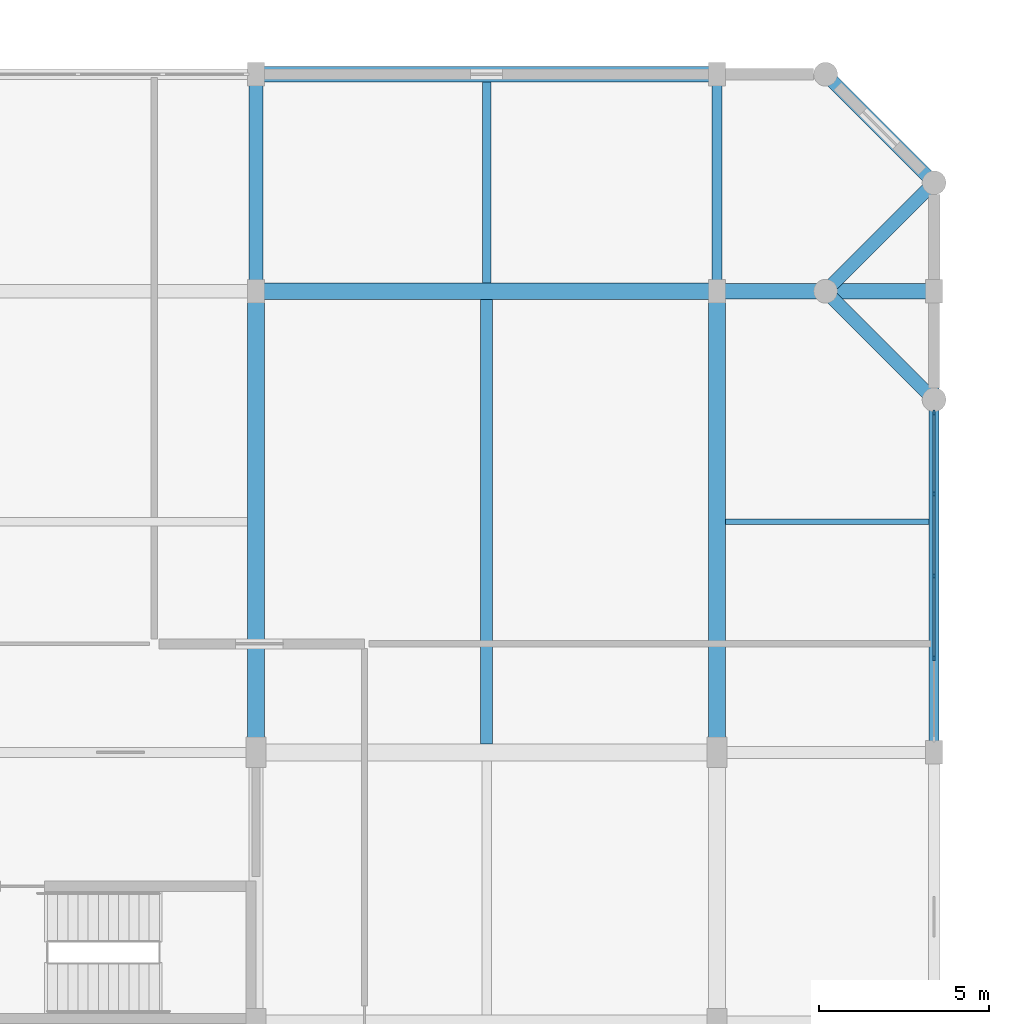
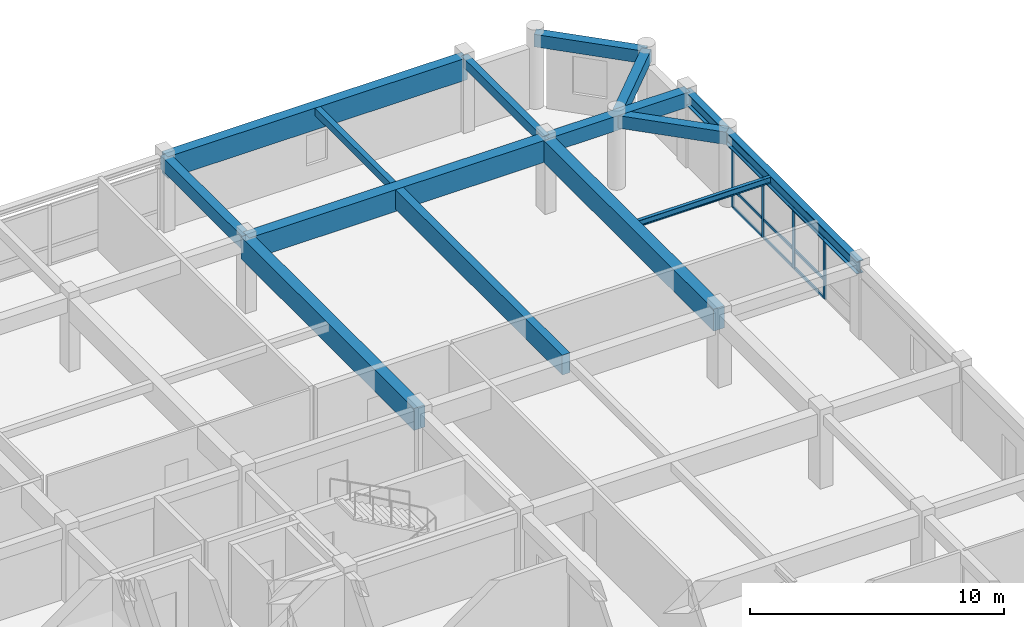
# One storey, part 8 of 14: 14 beams, 13 members, 1 element without a shape of its own.
"""IFC4 building model written with IfcOpenShell, lengths in metres."""

import ifcopenshell
import ifcopenshell.guid

model = None  # the IFC model being written
_history = None  # IfcOwnerHistory: only IFC2X3 demands one
_inside = {}  # id of a spatial element -> (the spatial element, [elements in it])
_under = {}  # id of a project, library or spatial element -> (it, [spatial elements below it])
_declared = {}  # id of a project -> (the project, [libraries it declares])
_typed = {}  # id of a type object -> (the type object, [elements of that type])
_made_of = {}  # id of a material, layer set ... -> (it, [elements and type objects made of it])


def new_model(schema):
    """Start an empty IFC model of exactly this schema.

    Asked for "IFC4X3", IfcOpenShell would pick the latest addendum, in which some entities
    have other attributes; the version numbers below select the first issue.
    IFC2X3 requires an IfcOwnerHistory on every rooted entity: one is made here for all.
    """
    global model, _history
    if schema == "IFC4X3":
        model = ifcopenshell.file(schema_version=(4, 3, 0, 0))
    else:
        model = ifcopenshell.file(schema=schema)
    _inside.clear()
    _under.clear()
    _declared.clear()
    _typed.clear()
    _made_of.clear()
    _history = None
    if model.schema == "IFC2X3":
        org = make("IfcOrganization", Name="unknown")
        user = make(
            "IfcPersonAndOrganization",
            ThePerson=make("IfcPerson", FamilyName="unknown"),
            TheOrganization=org,
        )
        app = make(
            "IfcApplication",
            ApplicationDeveloper=org,
            Version="unknown",
            ApplicationFullName="unknown",
            ApplicationIdentifier="unknown",
        )
        _history = make(
            "IfcOwnerHistory",
            OwningUser=user,
            OwningApplication=app,
            ChangeAction="ADDED",
            CreationDate=0,
        )
    return model


def make(cls, **values):
    """One entity of the class cls with the attributes given. An attribute that is None is left unset."""
    return model.create_entity(
        cls, **{name: value for name, value in values.items() if value is not None}
    )


def rooted(cls, **values):
    """An entity with a GlobalId (a new one), such as an element, a storey or a relation."""
    return make(cls, GlobalId=ifcopenshell.guid.new(), OwnerHistory=_history, **values)


def si_unit(unit_type, name, prefix=None):
    """IfcSIUnit, for example si_unit("LENGTHUNIT", "METRE", prefix="MILLI")."""
    return make("IfcSIUnit", UnitType=unit_type, Prefix=prefix, Name=name)


def assignment(units):
    """IfcUnitAssignment: the units of a project."""
    return None if units is None else make("IfcUnitAssignment", Units=units)


def point(xyz):
    """IfcCartesianPoint."""
    return None if xyz is None else make("IfcCartesianPoint", Coordinates=xyz)


def direction(xyz):
    """IfcDirection."""
    return None if xyz is None else make("IfcDirection", DirectionRatios=xyz)


def frame(location, z_axis=None, x_axis=None):
    """IfcAxis2Placement3D, a coordinate frame: its origin and axes. An axis left out is left unset."""
    return make(
        "IfcAxis2Placement3D",
        Location=point(location),
        Axis=direction(z_axis),
        RefDirection=direction(x_axis),
    )


def frame_2d(location, x_axis=None):
    """IfcAxis2Placement2D, a coordinate frame in the plane: its origin and x axis."""
    return make(
        "IfcAxis2Placement2D", Location=point(location), RefDirection=direction(x_axis)
    )


def origin():
    """The frame at (0, 0, 0) with its axes left unset."""
    return frame((0.0, 0.0, 0.0))


def origin_2d():
    """The frame at (0, 0) in the plane with its x axis left unset."""
    return frame_2d((0.0, 0.0))


def place(relative_to, where):
    """IfcLocalPlacement: puts the frame where relative to a parent placement (None: the world)."""
    return make(
        "IfcLocalPlacement", PlacementRelTo=relative_to, RelativePlacement=where
    )


def context(
    kind, dimensions, precision=None, world=None, true_north=None, identifier=None
):
    """IfcGeometricRepresentationContext, for example the 3D "Model" context."""
    return make(
        "IfcGeometricRepresentationContext",
        ContextIdentifier=identifier,
        ContextType=kind,
        CoordinateSpaceDimension=dimensions,
        Precision=precision,
        WorldCoordinateSystem=world,
        TrueNorth=true_north,
    )


def subcontext(parent, identifier, kind, view, scale=None):
    """IfcGeometricRepresentationSubContext, for example "Body" below "Model"."""
    return make(
        "IfcGeometricRepresentationSubContext",
        ContextIdentifier=identifier,
        ContextType=kind,
        ParentContext=parent,
        TargetScale=scale,
        TargetView=view,
    )


def project(units=None, contexts=None):
    """IfcProject with its units and contexts."""
    return rooted(
        "IfcProject",
        Name="project",
        RepresentationContexts=contexts,
        UnitsInContext=assignment(units),
    )


def spatial(cls, under=None, at=None, **own):
    """A site, building, storey or space (cls), placed at a placement, below another one or the project."""
    s = rooted(cls, ObjectPlacement=at, **own)
    if under is not None:
        _under.setdefault(under.id(), (under, []))[1].append(s)
    return s


def profile(cls, at=None, kind="AREA", **sizes):
    """A parametric profile (cls). Its sizes go by their IFC names, for example OverallWidth=200.0."""
    return make(cls, ProfileType=kind, Position=at, **sizes)


def rectangle(**sizes):
    """IfcRectangleProfileDef."""
    return profile("IfcRectangleProfileDef", **sizes)


def i_section(**sizes):
    """IfcIShapeProfileDef."""
    return profile("IfcIShapeProfileDef", **sizes)


def extrude(swept, where, along, depth):
    """IfcExtrudedAreaSolid: the profile swept, set in the frame where, extruded along a direction by depth."""
    return make(
        "IfcExtrudedAreaSolid",
        SweptArea=swept,
        Position=where,
        ExtrudedDirection=direction(along),
        Depth=depth,
    )


def shape(context_of_items, identifier, shape_type, items):
    """IfcShapeRepresentation: the items that make up one representation, for example the "Body"."""
    return make(
        "IfcShapeRepresentation",
        ContextOfItems=context_of_items,
        RepresentationIdentifier=identifier,
        RepresentationType=shape_type,
        Items=items,
    )


def material(Name=None, Category=None):
    """IfcMaterial."""
    return make("IfcMaterial", Name=Name, Category=Category)


def material_profile(
    of_material, cross_section, Name=None, Category=None, Priority=None
):
    """IfcMaterialProfile: a cross section and its material."""
    return make(
        "IfcMaterialProfile",
        Name=Name,
        Material=of_material,
        Profile=cross_section,
        Priority=Priority,
        Category=Category,
    )


def profile_set(profiles, Name=None, composite=None):
    """IfcMaterialProfileSet."""
    return make(
        "IfcMaterialProfileSet",
        Name=Name,
        MaterialProfiles=profiles,
        CompositeProfile=composite,
    )


def made_of(thing, what):
    """Note that an element or type object is made of a material, layer set ...; save() writes the relation."""
    if what is not None:
        _made_of.setdefault(what.id(), (what, []))[1].append(thing)
    return thing


def type_object(cls, material=None, **own):
    """A type object (cls), such as IfcWallType, which elements share."""
    return made_of(rooted(cls, **own), material)


def element(
    cls,
    number,
    at=None,
    inside=None,
    cuts=None,
    type_object=None,
    material=None,
    context=None,
    identifier="Body",
    shape_type=None,
    held_by="IfcProductDefinitionShape",
    body=None,
    shapes=None,
    **own,
):
    """One element of the class cls, such as IfcWall. Its Tag is "e" and its number.

    at: its placement. inside: the storey or other place that contains it. cuts: it is an
    opening in that element (IfcRelVoidsElement). A single representation is given by context,
    identifier, shape_type and body (its items); several are given by shapes. held_by: the class
    of the entity that holds the representations. save() writes the other relations.
    """
    e = rooted(cls, Tag="e%d" % number, ObjectPlacement=at, **own)
    if body is not None:
        shapes = [shape(context, identifier, shape_type, body)]
    if shapes is not None:
        e.Representation = make(held_by, Representations=shapes)
    if inside is not None:
        _inside.setdefault(inside.id(), (inside, []))[1].append(e)
    if cuts is not None:
        rooted(
            "IfcRelVoidsElement", RelatingBuildingElement=cuts, RelatedOpeningElement=e
        )
    if type_object is not None:
        _typed.setdefault(type_object.id(), (type_object, []))[1].append(e)
    return made_of(e, material)


def aggregate(whole, parts):
    """IfcRelAggregates: a whole, such as a stair, and the parts it consists of."""
    return rooted("IfcRelAggregates", RelatingObject=whole, RelatedObjects=parts)


def save(model, path):
    """Write the relations noted so far, then the file.

    IfcRelAggregates (storeys below a building ...), IfcRelContainedInSpatialStructure (elements
    in a storey), IfcRelDefinesByType, IfcRelAssociatesMaterial and IfcRelDeclares: one each for
    every whole, place, type object, material and project.
    """
    for whole, parts in _under.values():
        aggregate(whole, parts)
    for where, things in _inside.values():
        rooted(
            "IfcRelContainedInSpatialStructure",
            RelatedElements=things,
            RelatingStructure=where,
        )
    for kind, things in _typed.values():
        rooted("IfcRelDefinesByType", RelatedObjects=things, RelatingType=kind)
    for what, things in _made_of.values():
        rooted("IfcRelAssociatesMaterial", RelatedObjects=things, RelatingMaterial=what)
    for by, libraries in _declared.values():
        rooted("IfcRelDeclares", RelatingContext=by, RelatedDefinitions=libraries)
    model.write(path)


model = new_model("IFC4")

# Units and contexts
model_context = context("Model", 3, precision=1e-05, world=origin(), true_north=direction((0.0, 1.0)))
body_context = subcontext(model_context, "Body", "Model", "MODEL_VIEW")
ifc_project = project(units=[si_unit("LENGTHUNIT", "METRE"), si_unit("AREAUNIT", "SQUARE_METRE"), si_unit("VOLUMEUNIT", "CUBIC_METRE"), si_unit("PLANEANGLEUNIT", "RADIAN"), si_unit("MASSUNIT", "GRAM", prefix="KILO")], contexts=[model_context])

# Site, building, storey
site_placement = place(None, origin())
site = spatial("IfcSite", under=ifc_project, at=site_placement, CompositionType="ELEMENT")
building_placement = place(site_placement, origin())
building = spatial("IfcBuilding", under=site, at=building_placement, Name="Vellmiral Cinema and Media Centre", CompositionType="ELEMENT")
storey_placement = place(building_placement, frame((0.0, 0.0, 47.10009765625)))
storey = spatial("IfcBuildingStorey", under=building, at=storey_placement, Name="L11", CompositionType="ELEMENT", Elevation=47.10009765625)

# Beams
ifc_material_1 = material(Name="Concrete C40/50", Category="concrete")
ifc_material_profile_1 = material_profile(ifc_material_1, rectangle(XDim=0.300048828125, YDim=0.449951171875, at=origin_2d()), Name="RC 300x450")
ifc_profile_set_1 = profile_set([ifc_material_profile_1], Name="Concrete C40/50")
beam_type_1 = type_object("IfcBeamType", Name="BM-RC-300x450", PredefinedType="BEAM", material=ifc_profile_set_1)
beam_1_placement = place(storey_placement, frame((161.60009765625, 108.800048828125, 3.27001953125), z_axis=(0.0, 1.0, 0.0), x_axis=(-1.0, 0.0, 0.0)))
element("IfcBeam", 1, at=beam_1_placement, inside=storey, type_object=beam_type_1, Name="Grid Beam L11-Y074", PredefinedType="BEAM", context=body_context, shape_type="SweptSolid", body=[
    extrude(rectangle(XDim=0.300048828125, YDim=0.449951171875, at=origin_2d()), origin(), (0.0, 0.0, 1.0), 6.39990234375),
])
ifc_material_2 = material(Name="Concrete C40/50", Category="concrete")
ifc_material_profile_2 = material_profile(ifc_material_2, rectangle(XDim=0.39990234375, YDim=0.64990234375, at=origin_2d()), Name="RC 400x650")
ifc_profile_set_2 = profile_set([ifc_material_profile_2], Name="Concrete C40/50")
beam_type_2 = type_object("IfcBeamType", Name="BM-RC-400x650", PredefinedType="BEAM", material=ifc_profile_set_2)
beam_2_placement = place(storey_placement, frame((148.0, 108.800048828125, 3.169921875), z_axis=(0.0, 1.0, 0.0), x_axis=(-1.0, 0.0, 0.0)))
element("IfcBeam", 2, at=beam_2_placement, inside=storey, type_object=beam_type_2, Name="Grid Beam L11-Y068", PredefinedType="BEAM", context=body_context, shape_type="SweptSolid", body=[
    extrude(rectangle(XDim=0.39990234375, YDim=0.64990234375, at=origin_2d()), origin(), (0.0, 0.0, 1.0), 6.39990234375),
])
ifc_material_3 = material(Name="Concrete C40/50", Category="concrete")
ifc_material_profile_3 = material_profile(ifc_material_3, rectangle(XDim=0.449951171875, YDim=0.699951171875, at=origin_2d()), Name="RC 450x700")
ifc_profile_set_3 = profile_set([ifc_material_profile_3], Name="Concrete C40/50")
beam_type_3 = type_object("IfcBeamType", Name="BM-RC-450x700", PredefinedType="BEAM", material=ifc_profile_set_3)
beam_3_placement = place(storey_placement, frame((161.60009765625, 108.800048828125, 3.14501953125), z_axis=(1.0, 0.0, 0.0), x_axis=(0.0, 1.0, 0.0)))
element("IfcBeam", 3, at=beam_3_placement, inside=storey, type_object=beam_type_3, Name="Grid Beam L11-X034", PredefinedType="BEAM", context=body_context, shape_type="SweptSolid", body=[
    extrude(rectangle(XDim=0.449951171875, YDim=0.699951171875, at=origin_2d()), origin(), (0.0, 0.0, 1.0), 6.39990234375),
])
ifc_material_4 = material(Name="Concrete C40/50", Category="concrete")
ifc_material_profile_4 = material_profile(ifc_material_4, rectangle(XDim=0.5, YDim=1.050048828125, at=origin_2d()), Name="RC 500x1050")
ifc_profile_set_4 = profile_set([ifc_material_profile_4], Name="Concrete C40/50")
beam_type_4 = type_object("IfcBeamType", Name="BM-RCG-500x1050", PredefinedType="BEAM", material=ifc_profile_set_4)
for number, where, z_axis, x_axis, name in (
    (4, (148.0, 108.800048828125, 2.969970703125), (1.0, 0.0, 0.0), (0.0, 1.0, 0.0), "Grid Beam L11-X033"),
    (5, (148.0, 95.199951171875, 2.969970703125), (0.0, 1.0, 0.0), (-1.0, 0.0, 0.0), "Grid Beam L11-Y067"),
    (6, (161.60009765625, 95.199951171875, 2.969970703125), (0.0, 1.0, 0.0), (-1.0, 0.0, 0.0), "Grid Beam L11-Y073"),
):
    element("IfcBeam", number, at=place(storey_placement, frame(where, z_axis=z_axis, x_axis=x_axis)), inside=storey, type_object=beam_type_4, Name=name, PredefinedType="BEAM", context=body_context, shape_type="SweptSolid", body=[
        extrude(rectangle(XDim=0.5, YDim=1.050048828125, at=origin_2d()), origin(), (0.0, 0.0, 1.0), 13.60009765625),
    ])

# Curtain wall, members
ifc_material_5 = material(Name="Thermally Broken Aluminium and Triple Glazing", Category="aluminium")
curtain_wall_type = type_object("IfcCurtainWallType", Name="CW-TOWER-MID-E", PredefinedType="USERDEFINED", material=ifc_material_5)
curtain_wall_placement = place(storey_placement, origin())
curtain_wall = element("IfcCurtainWall", 7, at=curtain_wall_placement, inside=storey, type_object=curtain_wall_type, Name="Curtain Wall L11-B012", ObjectType="UNITISED CURTAIN WALL", PredefinedType="USERDEFINED")
ifc_material_6 = material(Name="Thermally Broken Anodised Aluminium", Category="aluminium")
ifc_material_profile_5 = material_profile(ifc_material_6, rectangle(XDim=0.06494140625, YDim=0.159912109375, at=origin_2d()), Name="MULL 65x160")
ifc_profile_set_5 = profile_set([ifc_material_profile_5], Name="Thermally Broken Anodised Aluminium")
member_type_1 = type_object("IfcMemberType", Name="CWM-65x160", PredefinedType="MULLION", material=ifc_profile_set_5)
member_1_placement = place(storey_placement, frame((168.0, 97.97509765625, 0.0), z_axis=(0.0, 0.0, 1.0), x_axis=(-1.0, 0.0, 0.0)))
member_1 = element("IfcMember", 8, at=member_1_placement, type_object=member_type_1, Name="CW-07 mullion 2", PredefinedType="MULLION", context=body_context, shape_type="SweptSolid", body=[
    extrude(rectangle(XDim=0.06494140625, YDim=0.159912109375, at=origin_2d()), origin(), (0.0, 0.0, 1.0), 2.885009765625),
])
member_2_placement = place(storey_placement, frame((168.0, 100.39990234375, 0.0), z_axis=(0.0, 0.0, 1.0), x_axis=(-1.0, 0.0, 0.0)))
member_2 = element("IfcMember", 9, at=member_2_placement, type_object=member_type_1, Name="CW-07 mullion 3", PredefinedType="MULLION", context=body_context, shape_type="SweptSolid", body=[
    extrude(rectangle(XDim=0.06494140625, YDim=0.159912109375, at=origin_2d()), origin(), (0.0, 0.0, 1.0), 2.885009765625),
])
member_3_placement = place(storey_placement, frame((168.0, 102.824951171875, 0.0), z_axis=(0.0, 0.0, 1.0), x_axis=(-1.0, 0.0, 0.0)))
member_3 = element("IfcMember", 10, at=member_3_placement, type_object=member_type_1, Name="CW-07 mullion 4", PredefinedType="MULLION", context=body_context, shape_type="SweptSolid", body=[
    extrude(rectangle(XDim=0.06494140625, YDim=0.159912109375, at=origin_2d()), origin(), (0.0, 0.0, 1.0), 2.885009765625),
])
member_4_placement = place(storey_placement, frame((168.0, 105.217529296875, 0.0), z_axis=(0.0, 0.0, 1.0), x_axis=(-1.0, 0.0, 0.0)))
member_4 = element("IfcMember", 11, at=member_4_placement, type_object=member_type_1, Name="CW-07 mullion 5", PredefinedType="MULLION", context=body_context, shape_type="SweptSolid", body=[
    extrude(rectangle(XDim=0.06494140625, YDim=0.159912109375, at=origin_2d()), origin(), (0.0, 0.0, 1.0), 2.885009765625),
])
ifc_material_7 = material(Name="Thermally Broken Anodised Aluminium", Category="aluminium")
ifc_material_profile_6 = material_profile(ifc_material_7, rectangle(XDim=0.06494140625, YDim=0.135009765625, at=origin_2d()), Name="MULL 65x135")
ifc_profile_set_6 = profile_set([ifc_material_profile_6], Name="Thermally Broken Anodised Aluminium")
member_type_2 = type_object("IfcMemberType", Name="CWT-65x135", PredefinedType="USERDEFINED", material=ifc_profile_set_6)
member_5_placement = place(storey_placement, frame((168.0, 98.007568359375, 0.032470703125), z_axis=(0.0, 1.0, 0.0), x_axis=(-1.0, 0.0, 0.0)))
member_5 = element("IfcMember", 12, at=member_5_placement, type_object=member_type_2, Name="CW-07 transom 2.1", ObjectType="TRANSOM", PredefinedType="USERDEFINED", context=body_context, shape_type="SweptSolid", body=[
    extrude(rectangle(XDim=0.06494140625, YDim=0.135009765625, at=origin_2d()), origin(), (0.0, 0.0, 1.0), 2.35986328125),
])
member_6_placement = place(storey_placement, frame((168.0, 98.007568359375, 0.89990234375), z_axis=(0.0, 1.0, 0.0), x_axis=(-1.0, 0.0, 0.0)))
member_6 = element("IfcMember", 13, at=member_6_placement, type_object=member_type_2, Name="CW-07 transom 2.2", ObjectType="TRANSOM", PredefinedType="USERDEFINED", context=body_context, shape_type="SweptSolid", body=[
    extrude(rectangle(XDim=0.06494140625, YDim=0.135009765625, at=origin_2d()), origin(), (0.0, 0.0, 1.0), 2.35986328125),
])
member_7_placement = place(storey_placement, frame((168.0, 98.007568359375, 2.852294921875), z_axis=(0.0, 1.0, 0.0), x_axis=(-1.0, 0.0, 0.0)))
member_7 = element("IfcMember", 14, at=member_7_placement, type_object=member_type_2, Name="CW-07 transom 2.3", ObjectType="TRANSOM", PredefinedType="USERDEFINED", context=body_context, shape_type="SweptSolid", body=[
    extrude(rectangle(XDim=0.06494140625, YDim=0.135009765625, at=origin_2d()), origin(), (0.0, 0.0, 1.0), 2.35986328125),
])
member_8_placement = place(storey_placement, frame((168.0, 100.4326171875, 0.032470703125), z_axis=(0.0, 1.0, 0.0), x_axis=(-1.0, 0.0, 0.0)))
member_8 = element("IfcMember", 15, at=member_8_placement, type_object=member_type_2, Name="CW-07 transom 3.1", ObjectType="TRANSOM", PredefinedType="USERDEFINED", context=body_context, shape_type="SweptSolid", body=[
    extrude(rectangle(XDim=0.06494140625, YDim=0.135009765625, at=origin_2d()), origin(), (0.0, 0.0, 1.0), 2.35986328125),
])
member_9_placement = place(storey_placement, frame((168.0, 100.4326171875, 0.89990234375), z_axis=(0.0, 1.0, 0.0), x_axis=(-1.0, 0.0, 0.0)))
member_9 = element("IfcMember", 16, at=member_9_placement, type_object=member_type_2, Name="CW-07 transom 3.2", ObjectType="TRANSOM", PredefinedType="USERDEFINED", context=body_context, shape_type="SweptSolid", body=[
    extrude(rectangle(XDim=0.06494140625, YDim=0.135009765625, at=origin_2d()), origin(), (0.0, 0.0, 1.0), 2.35986328125),
])
member_10_placement = place(storey_placement, frame((168.0, 100.4326171875, 2.852294921875), z_axis=(0.0, 1.0, 0.0), x_axis=(-1.0, 0.0, 0.0)))
member_10 = element("IfcMember", 17, at=member_10_placement, type_object=member_type_2, Name="CW-07 transom 3.3", ObjectType="TRANSOM", PredefinedType="USERDEFINED", context=body_context, shape_type="SweptSolid", body=[
    extrude(rectangle(XDim=0.06494140625, YDim=0.135009765625, at=origin_2d()), origin(), (0.0, 0.0, 1.0), 2.35986328125),
])
member_11_placement = place(storey_placement, frame((168.0, 102.857421875, 0.032470703125), z_axis=(0.0, 1.0, 0.0), x_axis=(-1.0, 0.0, 0.0)))
member_11 = element("IfcMember", 18, at=member_11_placement, type_object=member_type_2, Name="CW-07 transom 4.1", ObjectType="TRANSOM", PredefinedType="USERDEFINED", context=body_context, shape_type="SweptSolid", body=[
    extrude(rectangle(XDim=0.06494140625, YDim=0.135009765625, at=origin_2d()), origin(), (0.0, 0.0, 1.0), 2.32763671875),
])
member_12_placement = place(storey_placement, frame((168.0, 102.857421875, 0.89990234375), z_axis=(0.0, 1.0, 0.0), x_axis=(-1.0, 0.0, 0.0)))
member_12 = element("IfcMember", 19, at=member_12_placement, type_object=member_type_2, Name="CW-07 transom 4.2", ObjectType="TRANSOM", PredefinedType="USERDEFINED", context=body_context, shape_type="SweptSolid", body=[
    extrude(rectangle(XDim=0.06494140625, YDim=0.135009765625, at=origin_2d()), origin(), (0.0, 0.0, 1.0), 2.32763671875),
])
member_13_placement = place(storey_placement, frame((168.0, 102.857421875, 2.852294921875), z_axis=(0.0, 1.0, 0.0), x_axis=(-1.0, 0.0, 0.0)))
member_13 = element("IfcMember", 20, at=member_13_placement, type_object=member_type_2, Name="CW-07 transom 4.3", ObjectType="TRANSOM", PredefinedType="USERDEFINED", context=body_context, shape_type="SweptSolid", body=[
    extrude(rectangle(XDim=0.06494140625, YDim=0.135009765625, at=origin_2d()), origin(), (0.0, 0.0, 1.0), 2.32763671875),
])
aggregate(curtain_wall, [member_1, member_2, member_3, member_4, member_5, member_6, member_7, member_8, member_9, member_10, member_11, member_12, member_13])

# Beams
ifc_material_8 = material(Name="Concrete C40/50", Category="concrete")
ifc_material_profile_7 = material_profile(ifc_material_8, rectangle(XDim=0.25, YDim=0.35009765625, at=origin_2d()), Name="RC 250x350")
ifc_profile_set_7 = profile_set([ifc_material_profile_7], Name="Concrete C40/50")
beam_type_5 = type_object("IfcBeamType", Name="JST-RC-250x350", PredefinedType="JOIST", material=ifc_profile_set_7)
beam_4_placement = place(storey_placement, frame((154.800048828125, 109.050048828125, 3.31982421875), z_axis=(0.0, 1.0, 0.0), x_axis=(-1.0, 0.0, 0.0)))
element("IfcBeam", 21, at=beam_4_placement, inside=storey, type_object=beam_type_5, Name="Secondary Floor Joist L11-010", PredefinedType="JOIST", context=body_context, shape_type="SweptSolid", body=[
    extrude(rectangle(XDim=0.25, YDim=0.35009765625, at=origin_2d()), origin(), (0.0, 0.0, 1.0), 5.925048828125),
])
ifc_material_9 = material(Name="Concrete C40/50", Category="concrete")
ifc_material_profile_8 = material_profile(ifc_material_9, rectangle(XDim=0.35009765625, YDim=0.949951171875, at=origin_2d()), Name="RC 350x950")
ifc_profile_set_8 = profile_set([ifc_material_profile_8], Name="Concrete C40/50")
beam_type_6 = type_object("IfcBeamType", Name="JST-RCG-350x950", PredefinedType="JOIST", material=ifc_profile_set_8)
beam_5_placement = place(storey_placement, frame((154.800048828125, 95.449951171875, 3.02001953125), z_axis=(0.0, 1.0, 0.0), x_axis=(-1.0, 0.0, 0.0)))
element("IfcBeam", 22, at=beam_5_placement, inside=storey, type_object=beam_type_6, Name="Secondary Floor Joist L11-009", PredefinedType="JOIST", context=body_context, shape_type="SweptSolid", body=[
    extrude(rectangle(XDim=0.35009765625, YDim=0.949951171875, at=origin_2d()), origin(), (0.0, 0.0, 1.0), 13.10009765625),
])
ifc_material_10 = material(Name="Steel S355", Category="steel")
ifc_material_profile_9 = material_profile(ifc_material_10, i_section(OverallWidth=0.300048828125, OverallDepth=0.60009765625, WebThickness=0.015380859375, FlangeThickness=0.030029296875, FilletRadius=0.027099609375, at=origin_2d()), Name="HEB 600")
ifc_profile_set_9 = profile_set([ifc_material_profile_9], Name="Steel S355")
beam_type_7 = type_object("IfcBeamType", Name="SBM-HEB600-SPD", PredefinedType="SPANDREL", material=ifc_profile_set_9)
beam_6_placement = place(storey_placement, frame((168.0, 95.199951171875, 3.19482421875), z_axis=(0.0, 1.0, 0.0), x_axis=(-1.0, 0.0, 0.0)))
element("IfcBeam", 23, at=beam_6_placement, inside=storey, type_object=beam_type_7, Name="Grid Beam L11-Y078", PredefinedType="SPANDREL", context=body_context, shape_type="SweptSolid", body=[
    extrude(i_section(OverallWidth=0.300048828125, OverallDepth=0.60009765625, WebThickness=0.015380859375, FlangeThickness=0.030029296875, FilletRadius=0.027099609375, at=origin_2d()), origin(), (0.0, 0.0, 1.0), 13.60009765625),
])
ifc_material_11 = material(Name="Steel S355", Category="steel")
ifc_material_profile_10 = material_profile(ifc_material_11, i_section(OverallWidth=0.14990234375, OverallDepth=0.300048828125, WebThickness=0.007080078125, FlangeThickness=0.0107421875, FilletRadius=0.014892578125, at=origin_2d()), Name="IPE 300")
ifc_profile_set_10 = profile_set([ifc_material_profile_10], Name="Steel S355")
beam_type_8 = type_object("IfcBeamType", Name="SBM-IPE300", PredefinedType="JOIST", material=ifc_profile_set_10)
beam_7_placement = place(storey_placement, frame((161.85009765625, 102.0, 3.344970703125), z_axis=(1.0, 0.0, 0.0), x_axis=(0.0, 1.0, 0.0)))
element("IfcBeam", 24, at=beam_7_placement, inside=storey, type_object=beam_type_8, Name="Secondary Floor Joist L11-011", PredefinedType="JOIST", context=body_context, shape_type="SweptSolid", body=[
    extrude(i_section(OverallWidth=0.14990234375, OverallDepth=0.300048828125, WebThickness=0.007080078125, FlangeThickness=0.0107421875, FilletRadius=0.014892578125, at=origin_2d()), origin(), (0.0, 0.0, 1.0), 6.0),
])
ifc_material_12 = material(Name="Concrete C40/50", Category="concrete")
ifc_material_profile_11 = material_profile(ifc_material_12, rectangle(XDim=0.39990234375, YDim=0.60009765625, at=origin_2d()), Name="RC 400x600")
ifc_profile_set_11 = profile_set([ifc_material_profile_11], Name="Concrete C40/50")
beam_type_9 = type_object("IfcBeamType", Name="SPD-RC-400x600", PredefinedType="SPANDREL", material=ifc_profile_set_11)
for number, where, z_axis, x_axis, name in (
    (25, (164.800048828125, 108.800048828125, 3.19482421875), (0.707106781187, -0.707106781187, 0.0), (0.707106781187, 0.707106781187, 0.0), "Xamfra Chamfer Spandrel Beam L11-082"),
    (26, (164.800048828125, 108.800048828125, 3.19482421875), (0.707106781187, 0.707106781187, 0.0), (-0.707106781187, 0.707106781187, 0.0), "Xamfra Chamfer Spandrel Beam L11-083"),
    (27, (164.800048828125, 115.199951171875, 3.19482421875), (0.707106781187, -0.707106781187, 0.0), (0.707106781187, 0.707106781187, 0.0), "Xamfra Chamfer Spandrel Beam L11-084"),
):
    element("IfcBeam", number, at=place(storey_placement, frame(where, z_axis=z_axis, x_axis=x_axis)), inside=storey, type_object=beam_type_9, Name=name, PredefinedType="SPANDREL", context=body_context, shape_type="SweptSolid", body=[
        extrude(rectangle(XDim=0.39990234375, YDim=0.60009765625, at=origin_2d()), origin(), (0.0, 0.0, 1.0), 4.525390625),
    ])
ifc_material_13 = material(Name="Concrete C40/50", Category="concrete")
ifc_material_profile_12 = material_profile(ifc_material_13, rectangle(XDim=0.449951171875, YDim=1.050048828125, at=origin_2d()), Name="RC 450x1050")
ifc_profile_set_12 = profile_set([ifc_material_profile_12], Name="Concrete C40/50")
beam_type_10 = type_object("IfcBeamType", Name="SPD-RCG-450x1050", PredefinedType="SPANDREL", material=ifc_profile_set_12)
beam_8_placement = place(storey_placement, frame((148.0, 115.199951171875, 2.969970703125), z_axis=(1.0, 0.0, 0.0), x_axis=(0.0, 1.0, 0.0)))
element("IfcBeam", 28, at=beam_8_placement, inside=storey, type_object=beam_type_10, Name="Grid Beam L11-X039", PredefinedType="SPANDREL", context=body_context, shape_type="SweptSolid", body=[
    extrude(rectangle(XDim=0.449951171875, YDim=1.050048828125, at=origin_2d()), origin(), (0.0, 0.0, 1.0), 13.60009765625),
])

save(model, "model.ifc")
